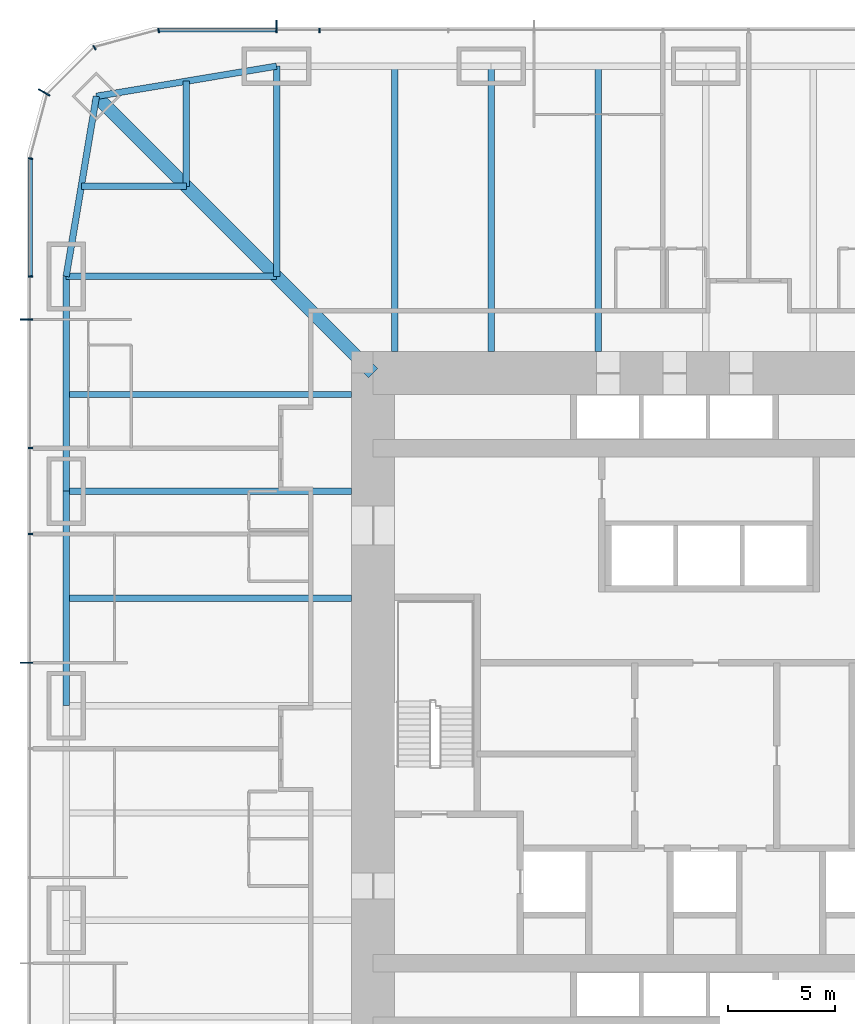
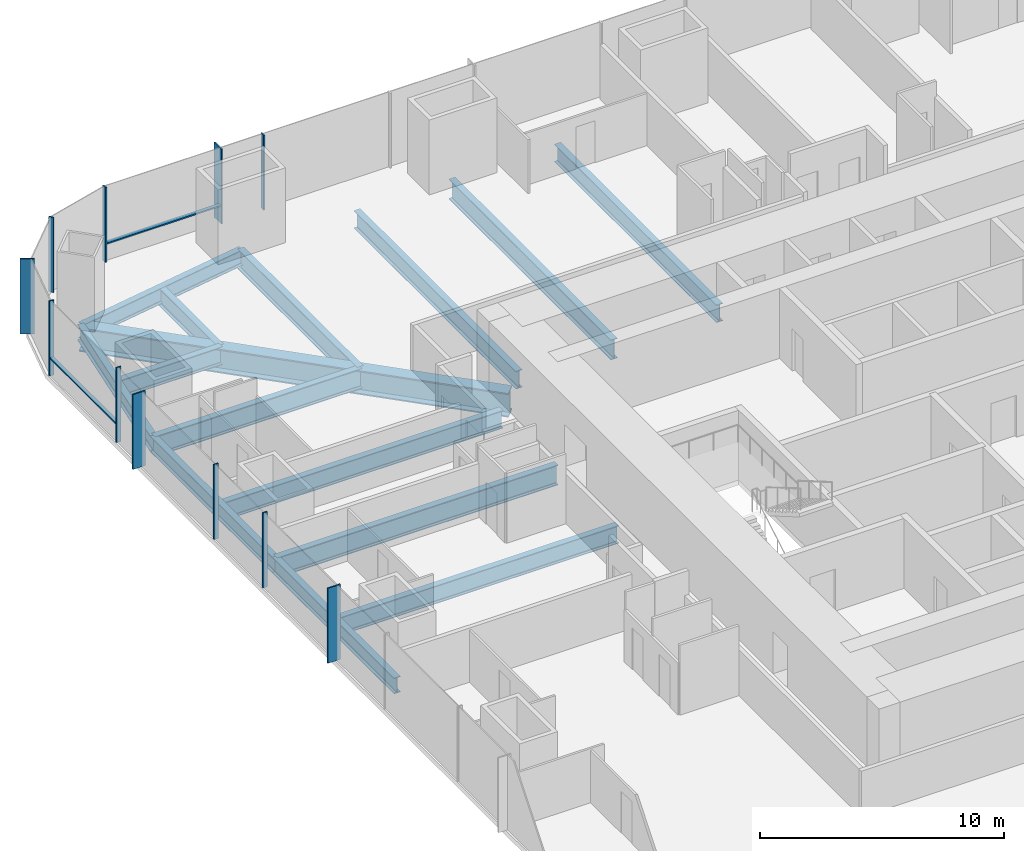
# One storey, part 6 of 17: 15 beams, 13 members, 3 elements without a shape of their own.
"""IFC4 building model written with IfcOpenShell, lengths in metres."""

from ifc_helpers import new_model, si_unit, direction, frame, origin, origin_2d, place, context, subcontext, project, spatial, rectangle, i_section, extrude, material, material_profile, profile_set, type_object, element, aggregate, save


model = new_model("IFC4")

# Units and contexts
model_context = context("Model", 3, precision=1e-05, world=origin(), true_north=direction((0.0, 1.0)))
body_context = subcontext(model_context, "Body", "Model", "MODEL_VIEW")
ifc_project = project(units=[si_unit("LENGTHUNIT", "METRE"), si_unit("AREAUNIT", "SQUARE_METRE"), si_unit("VOLUMEUNIT", "CUBIC_METRE"), si_unit("PLANEANGLEUNIT", "RADIAN"), si_unit("MASSUNIT", "GRAM", prefix="KILO")], contexts=[model_context])

# Site, building, storey
site_placement = place(None, origin())
site = spatial("IfcSite", under=ifc_project, at=site_placement, CompositionType="ELEMENT")
building_placement = place(site_placement, origin())
building = spatial("IfcBuilding", under=site, at=building_placement, Name="Khuree Lantern Residences", CompositionType="ELEMENT")
storey_placement = place(building_placement, frame((0.0, 0.0, 51.0)))
storey = spatial("IfcBuildingStorey", under=building, at=storey_placement, Name="L12", CompositionType="ELEMENT", Elevation=51.0)

# Beams
ifc_material_1 = material(Name="Steel S355", Category="steel")
ifc_material_profile_1 = material_profile(ifc_material_1, i_section(OverallWidth=0.300048828125, OverallDepth=0.889892578125, WebThickness=0.01611328125, FlangeThickness=0.030029296875, FilletRadius=0.030029296875, at=origin_2d()), Name="HE 900 A")
ifc_profile_set_1 = profile_set([ifc_material_profile_1], Name="Steel S355")
beam_type_1 = type_object("IfcBeamType", Name="B-13 SECONDARY BEAM HE 900 A", PredefinedType="BEAM", material=ifc_profile_set_1)
for number, where, z_axis, x_axis, name in (
    (1, (-14.5, 29.800048828125, -0.695068359375), (0.0, -1.0, 0.0), (1.0, 0.0, 0.0), "Secondary beam N1"),
    (2, (-5.0, 29.800048828125, -0.695068359375), (0.0, -1.0, 0.0), (1.0, 0.0, 0.0), "Secondary beam N2"),
    (3, (-29.800048828125, 5.0, -0.695068359375), (1.0, 0.0, 0.0), (0.0, 1.0, 0.0), "Secondary beam W4"),
    (4, (-29.800048828125, 14.5, -0.695068359375), (1.0, 0.0, 0.0), (0.0, 1.0, 0.0), "Secondary beam W5"),
):
    element("IfcBeam", number, at=place(storey_placement, frame(where, z_axis=z_axis, x_axis=x_axis)), inside=storey, type_object=beam_type_1, Name=name, PredefinedType="BEAM", context=body_context, shape_type="SweptSolid", body=[
        extrude(i_section(OverallWidth=0.300048828125, OverallDepth=0.889892578125, WebThickness=0.01611328125, FlangeThickness=0.030029296875, FilletRadius=0.030029296875, at=origin_2d()), origin(), (0.0, 0.0, 1.0), 13.300048828125),
    ])
for number, where, z_axis, x_axis, name in (
    (5, (-29.09716796875, 24.197021484375, -0.695068359375), (1.0, 0.0, 0.0), (0.0, 1.0, 0.0), "Secondary beam W6"),
    (6, (-24.197021484375, 29.09716796875, -0.695068359375), (0.0, -1.0, 0.0), (1.0, 0.0, 0.0), "Secondary beam N6"),
):
    element("IfcBeam", number, at=place(storey_placement, frame(where, z_axis=z_axis, x_axis=x_axis)), inside=storey, type_object=beam_type_1, Name=name, PredefinedType="BEAM", context=body_context, shape_type="SweptSolid", body=[
        extrude(i_section(OverallWidth=0.300048828125, OverallDepth=0.889892578125, WebThickness=0.01611328125, FlangeThickness=0.030029296875, FilletRadius=0.030029296875, at=origin_2d()), origin(), (0.0, 0.0, 1.0), 4.900146484375),
    ])
ifc_material_profile_2 = material_profile(ifc_material_1, i_section(OverallWidth=0.300048828125, OverallDepth=0.7900390625, WebThickness=0.014892578125, FlangeThickness=0.028076171875, FilletRadius=0.030029296875, at=origin_2d()), Name="HE 800 A")
ifc_profile_set_2 = profile_set([ifc_material_profile_2], Name="Steel S355")
beam_type_2 = type_object("IfcBeamType", Name="E-13 SPANDREL BEAM HE 800 A", PredefinedType="SPANDREL", material=ifc_profile_set_2)
for number, where, z_axis, x_axis, name in (
    (7, (-29.800048828125, 0.0, -0.64501953125), (0.0, 1.0, 0.0), (-1.0, 0.0, 0.0), "Spandrel beam W4"),
    (8, (-29.800048828125, 10.0, -0.64501953125), (0.0, 1.0, 0.0), (-1.0, 0.0, 0.0), "Spandrel beam W5"),
):
    element("IfcBeam", number, at=place(storey_placement, frame(where, z_axis=z_axis, x_axis=x_axis)), inside=storey, type_object=beam_type_2, Name=name, PredefinedType="SPANDREL", context=body_context, shape_type="SweptSolid", body=[
        extrude(i_section(OverallWidth=0.300048828125, OverallDepth=0.7900390625, WebThickness=0.014892578125, FlangeThickness=0.028076171875, FilletRadius=0.030029296875, at=origin_2d()), origin(), (0.0, 0.0, 1.0), 10.0),
    ])
for number, where, z_axis, x_axis, name in (
    (9, (-29.800048828125, 20.0, -0.64501953125), (0.165199022349, 0.986260251158, 0.0), (-0.986260251158, 0.165199022349, 0.0), "Spandrel beam W6"),
    (10, (-28.39404296875, 28.39404296875, -0.64501953125), (0.986260251158, 0.165199022349, 0.0), (-0.165199022349, 0.986260251158, 0.0), "Spandrel beam N6"),
):
    element("IfcBeam", number, at=place(storey_placement, frame(where, z_axis=z_axis, x_axis=x_axis)), inside=storey, type_object=beam_type_2, Name=name, PredefinedType="SPANDREL", context=body_context, shape_type="SweptSolid", body=[
        extrude(i_section(OverallWidth=0.300048828125, OverallDepth=0.7900390625, WebThickness=0.014892578125, FlangeThickness=0.028076171875, FilletRadius=0.030029296875, at=origin_2d()), origin(), (0.0, 0.0, 1.0), 8.510986328125),
    ])

# Curtain wall, member
ifc_material_2 = material(Name="Bronze anodised aluminium", Category="aluminium")
curtain_wall_type_1 = type_object("IfcCurtainWallType", Name="CW-T1 TOWER FACE CURTAIN WALL", PredefinedType="USERDEFINED", material=ifc_material_2)
curtain_wall_1_placement = place(storey_placement, origin())
curtain_wall_1 = element("IfcCurtainWall", 11, at=curtain_wall_1_placement, inside=storey, type_object=curtain_wall_type_1, Name="L12 NORTH FACE CURTAIN WALL", ObjectType="Stick-built curtain wall", PredefinedType="USERDEFINED")
ifc_material_profile_3 = material_profile(ifc_material_2, rectangle(XDim=0.06494140625, YDim=0.60009765625, at=origin_2d()), Name="F1 65X600")
ifc_profile_set_3 = profile_set([ifc_material_profile_3], Name="Bronze anodised aluminium")
member_type_1 = type_object("IfcMemberType", Name="F1 BRONZE FIN MULLION TOWER 65X600", PredefinedType="MULLION", material=ifc_profile_set_3)
member_1_placement = place(storey_placement, frame((-20.0, 31.64990234375, 0.0), z_axis=(0.0, 0.0, 1.0), x_axis=(-1.0, 0.0, 0.0)))
member_1 = element("IfcMember", 12, at=member_1_placement, type_object=member_type_1, Name="L12 NORTH FACE FIN MULLION 28", PredefinedType="MULLION", context=body_context, shape_type="SweptSolid", body=[
    extrude(rectangle(XDim=0.06494140625, YDim=0.60009765625, at=origin_2d()), origin(), (0.0, 0.0, 1.0), 3.75),
])

curtain_wall_type_2 = type_object("IfcCurtainWallType", Name="CW-T2 TOWER CORNER CURTAIN WALL", PredefinedType="USERDEFINED", material=ifc_material_2)
curtain_wall_2_placement = place(storey_placement, origin())
curtain_wall_2 = element("IfcCurtainWall", 13, at=curtain_wall_2_placement, inside=storey, type_object=curtain_wall_type_2, Name="L12 NORTH-WEST CORNER CURTAIN WALL", ObjectType="Faceted corner curtain wall", PredefinedType="USERDEFINED")
member_2_placement = place(storey_placement, frame((-30.826171875, 28.574951171875, 0.0), z_axis=(0.0, 0.0, 1.0), x_axis=(-0.500000056923, -0.86602537092, 0.0)))
member_2 = element("IfcMember", 14, at=member_2_placement, type_object=member_type_1, Name="L12 NORTH-WEST CORNER FIN MULLION 31", PredefinedType="MULLION", context=body_context, shape_type="SweptSolid", body=[
    extrude(rectangle(XDim=0.06494140625, YDim=0.60009765625, at=origin_2d()), origin(), (0.0, 0.0, 1.0), 3.75),
])

# Curtain wall, members
curtain_wall_3_placement = place(storey_placement, origin())
curtain_wall_3 = element("IfcCurtainWall", 15, at=curtain_wall_3_placement, inside=storey, type_object=curtain_wall_type_1, Name="L12 WEST FACE CURTAIN WALL", ObjectType="Stick-built curtain wall", PredefinedType="USERDEFINED")
member_3_placement = place(storey_placement, frame((-31.64990234375, 18.0, 0.0), z_axis=(0.0, 0.0, 1.0), x_axis=(0.0, -1.0, 0.0)))
member_3 = element("IfcMember", 16, at=member_3_placement, type_object=member_type_1, Name="L12 WEST FACE FIN MULLION 34", PredefinedType="MULLION", context=body_context, shape_type="SweptSolid", body=[
    extrude(rectangle(XDim=0.06494140625, YDim=0.60009765625, at=origin_2d()), origin(), (0.0, 0.0, 1.0), 3.75),
])
member_4_placement = place(storey_placement, frame((-31.64990234375, 2.0, 0.0), z_axis=(0.0, 0.0, 1.0), x_axis=(0.0, -1.0, 0.0)))
member_4 = element("IfcMember", 17, at=member_4_placement, type_object=member_type_1, Name="L12 WEST FACE FIN MULLION 37", PredefinedType="MULLION", context=body_context, shape_type="SweptSolid", body=[
    extrude(rectangle(XDim=0.06494140625, YDim=0.60009765625, at=origin_2d()), origin(), (0.0, 0.0, 1.0), 3.75),
])

# Beams
ifc_material_profile_4 = material_profile(ifc_material_1, i_section(OverallWidth=0.302001953125, OverallDepth=1.008056640625, WebThickness=0.02099609375, FlangeThickness=0.0400390625, FilletRadius=0.030029296875, at=origin_2d()), Name="HE 1000 M")
ifc_profile_set_4 = profile_set([ifc_material_profile_4], Name="Steel S355")
beam_type_3 = type_object("IfcBeamType", Name="G-13 GIRDER HE 1000 M", PredefinedType="BEAM", material=ifc_profile_set_4)
beam_1_placement = place(storey_placement, frame((-20.0, 29.800048828125, -0.75390625), z_axis=(0.0, -1.0, 0.0), x_axis=(1.0, 0.0, 0.0)))
element("IfcBeam", 18, at=beam_1_placement, inside=storey, type_object=beam_type_3, Name="Girder N1", PredefinedType="BEAM", context=body_context, shape_type="SweptSolid", body=[
    extrude(i_section(OverallWidth=0.302001953125, OverallDepth=1.008056640625, WebThickness=0.02099609375, FlangeThickness=0.0400390625, FilletRadius=0.030029296875, at=origin_2d()), origin(), (0.0, 0.0, 1.0), 9.800048828125),
])
for number, where, z_axis, x_axis, name in (
    (19, (-10.0, 29.800048828125, -0.75390625), (0.0, -1.0, 0.0), (1.0, 0.0, 0.0), "Girder N2"),
    (20, (-29.800048828125, 10.0, -0.75390625), (1.0, 0.0, 0.0), (0.0, 1.0, 0.0), "Girder W4"),
):
    element("IfcBeam", number, at=place(storey_placement, frame(where, z_axis=z_axis, x_axis=x_axis)), inside=storey, type_object=beam_type_3, Name=name, PredefinedType="BEAM", context=body_context, shape_type="SweptSolid", body=[
        extrude(i_section(OverallWidth=0.302001953125, OverallDepth=1.008056640625, WebThickness=0.02099609375, FlangeThickness=0.0400390625, FilletRadius=0.030029296875, at=origin_2d()), origin(), (0.0, 0.0, 1.0), 13.300048828125),
    ])
beam_2_placement = place(storey_placement, frame((-29.800048828125, 20.0, -0.75390625), z_axis=(1.0, 0.0, 0.0), x_axis=(0.0, 1.0, 0.0)))
element("IfcBeam", 21, at=beam_2_placement, inside=storey, type_object=beam_type_3, Name="Girder W5", PredefinedType="BEAM", context=body_context, shape_type="SweptSolid", body=[
    extrude(i_section(OverallWidth=0.302001953125, OverallDepth=1.008056640625, WebThickness=0.02099609375, FlangeThickness=0.0400390625, FilletRadius=0.030029296875, at=origin_2d()), origin(), (0.0, 0.0, 1.0), 9.800048828125),
])
ifc_material_profile_5 = material_profile(ifc_material_1, i_section(OverallWidth=0.60009765625, OverallDepth=1.199951171875, WebThickness=0.030029296875, FlangeThickness=0.06005859375, at=origin_2d()), Name="WELDED I 1200X600X30X60")
ifc_profile_set_5 = profile_set([ifc_material_profile_5], Name="Steel S355")
beam_type_4 = type_object("IfcBeamType", Name="GD-13 CORNER GIRDER WELDED I 1200X600X30X60", PredefinedType="BEAM", material=ifc_profile_set_5)
beam_3_placement = place(storey_placement, frame((-28.39404296875, 28.39404296875, -0.85009765625), z_axis=(0.707106781187, -0.707106781187, 0.0), x_axis=(0.707106781187, 0.707106781187, 0.0)))
element("IfcBeam", 22, at=beam_3_placement, inside=storey, type_object=beam_type_4, Name="Corner girder NW", PredefinedType="BEAM", context=body_context, shape_type="SweptSolid", body=[
    extrude(i_section(OverallWidth=0.60009765625, OverallDepth=1.199951171875, WebThickness=0.030029296875, FlangeThickness=0.06005859375, at=origin_2d()), origin(), (0.0, 0.0, 1.0), 18.23486328125),
])

# Member
ifc_material_profile_6 = material_profile(ifc_material_2, rectangle(XDim=0.06494140625, YDim=0.219970703125, at=origin_2d()), Name="M1 65X220")
ifc_profile_set_6 = profile_set([ifc_material_profile_6], Name="Bronze anodised aluminium")
member_type_2 = type_object("IfcMemberType", Name="M1 BRONZE MULLION TOWER 65X220", PredefinedType="MULLION", material=ifc_profile_set_6)
member_5_placement = place(storey_placement, frame((-18.0, 31.4599609375, 0.0), z_axis=(0.0, 0.0, 1.0), x_axis=(-1.0, 0.0, 0.0)))
member_5 = element("IfcMember", 23, at=member_5_placement, type_object=member_type_2, Name="L12 NORTH FACE MULLION 27", PredefinedType="MULLION", context=body_context, shape_type="SweptSolid", body=[
    extrude(rectangle(XDim=0.06494140625, YDim=0.219970703125, at=origin_2d()), origin(), (0.0, 0.0, 1.0), 3.75),
])

member_6_placement = place(storey_placement, frame((-25.494873046875, 31.461669921875, 0.0), z_axis=(0.0, 0.0, 1.0), x_axis=(-0.991444852794, -0.130526257387, 0.0)))
member_6 = element("IfcMember", 24, at=member_6_placement, type_object=member_type_2, Name="L12 NORTH-WEST CORNER MULLION 29", PredefinedType="MULLION", context=body_context, shape_type="SweptSolid", body=[
    extrude(rectangle(XDim=0.06494140625, YDim=0.219970703125, at=origin_2d()), origin(), (0.0, 0.0, 1.0), 3.75),
])

member_7_placement = place(storey_placement, frame((-28.47998046875, 30.66162109375, 0.0), z_axis=(0.0, 0.0, 1.0), x_axis=(-0.86602537092, -0.500000056923, 0.0)))
member_7 = element("IfcMember", 25, at=member_7_placement, type_object=member_type_2, Name="L12 NORTH-WEST CORNER MULLION 30", PredefinedType="MULLION", context=body_context, shape_type="SweptSolid", body=[
    extrude(rectangle(XDim=0.06494140625, YDim=0.219970703125, at=origin_2d()), origin(), (0.0, 0.0, 1.0), 3.75),
])

aggregate(curtain_wall_2, [member_6, member_7, member_2])

member_8_placement = place(storey_placement, frame((-31.461669921875, 25.494873046875, 0.0), z_axis=(0.0, 0.0, 1.0), x_axis=(-0.130526257387, -0.991444852794, 0.0)))
member_8 = element("IfcMember", 26, at=member_8_placement, type_object=member_type_2, Name="L12 WEST FACE MULLION 32", PredefinedType="MULLION", context=body_context, shape_type="SweptSolid", body=[
    extrude(rectangle(XDim=0.06494140625, YDim=0.219970703125, at=origin_2d()), origin(), (0.0, 0.0, 1.0), 3.75),
])

member_9_placement = place(storey_placement, frame((-31.4599609375, 20.0, 0.0), z_axis=(0.0, 0.0, 1.0), x_axis=(0.0, -1.0, 0.0)))
member_9 = element("IfcMember", 27, at=member_9_placement, type_object=member_type_2, Name="L12 WEST FACE MULLION 33", PredefinedType="MULLION", context=body_context, shape_type="SweptSolid", body=[
    extrude(rectangle(XDim=0.06494140625, YDim=0.219970703125, at=origin_2d()), origin(), (0.0, 0.0, 1.0), 3.75),
])

member_10_placement = place(storey_placement, frame((-31.4599609375, 12.0, 0.0), z_axis=(0.0, 0.0, 1.0), x_axis=(0.0, -1.0, 0.0)))
member_10 = element("IfcMember", 28, at=member_10_placement, type_object=member_type_2, Name="L12 WEST FACE MULLION 35", PredefinedType="MULLION", context=body_context, shape_type="SweptSolid", body=[
    extrude(rectangle(XDim=0.06494140625, YDim=0.219970703125, at=origin_2d()), origin(), (0.0, 0.0, 1.0), 3.75),
])

member_11_placement = place(storey_placement, frame((-31.4599609375, 8.0, 0.0), z_axis=(0.0, 0.0, 1.0), x_axis=(0.0, -1.0, 0.0)))
member_11 = element("IfcMember", 29, at=member_11_placement, type_object=member_type_2, Name="L12 WEST FACE MULLION 36", PredefinedType="MULLION", context=body_context, shape_type="SweptSolid", body=[
    extrude(rectangle(XDim=0.06494140625, YDim=0.219970703125, at=origin_2d()), origin(), (0.0, 0.0, 1.0), 3.75),
])

ifc_material_profile_7 = material_profile(ifc_material_2, rectangle(XDim=0.179931640625, YDim=0.06494140625, at=origin_2d()), Name="T1 180X65")
ifc_profile_set_7 = profile_set([ifc_material_profile_7], Name="Bronze anodised aluminium")
member_type_3 = type_object("IfcMemberType", Name="TRANSOM T1 TOWER 180X65", PredefinedType="USERDEFINED", material=ifc_profile_set_7)
member_12_placement = place(storey_placement, frame((-20.032470703125, 31.469970703125, 0.89990234375), z_axis=(-1.0, 0.0, 0.0), x_axis=(0.0, -1.0, 0.0)))
member_12 = element("IfcMember", 30, at=member_12_placement, type_object=member_type_3, Name="L12 NORTH FACE TRANSOM 28.1", ObjectType="Transom", PredefinedType="USERDEFINED", context=body_context, shape_type="SweptSolid", body=[
    extrude(rectangle(XDim=0.179931640625, YDim=0.06494140625, at=origin_2d()), origin(), (0.0, 0.0, 1.0), 5.4189453125),
])

aggregate(curtain_wall_1, [member_5, member_1, member_12])

member_13_placement = place(storey_placement, frame((-31.469970703125, 25.451416015625, 0.89990234375), z_axis=(0.0, -1.0, 0.0), x_axis=(1.0, 0.0, 0.0)))
member_13 = element("IfcMember", 31, at=member_13_placement, type_object=member_type_3, Name="L12 WEST FACE TRANSOM 32.1", ObjectType="Transom", PredefinedType="USERDEFINED", context=body_context, shape_type="SweptSolid", body=[
    extrude(rectangle(XDim=0.179931640625, YDim=0.06494140625, at=origin_2d()), origin(), (0.0, 0.0, 1.0), 5.4189453125),
])

aggregate(curtain_wall_3, [member_8, member_9, member_3, member_10, member_11, member_4, member_13])

save(model, "model.ifc")
